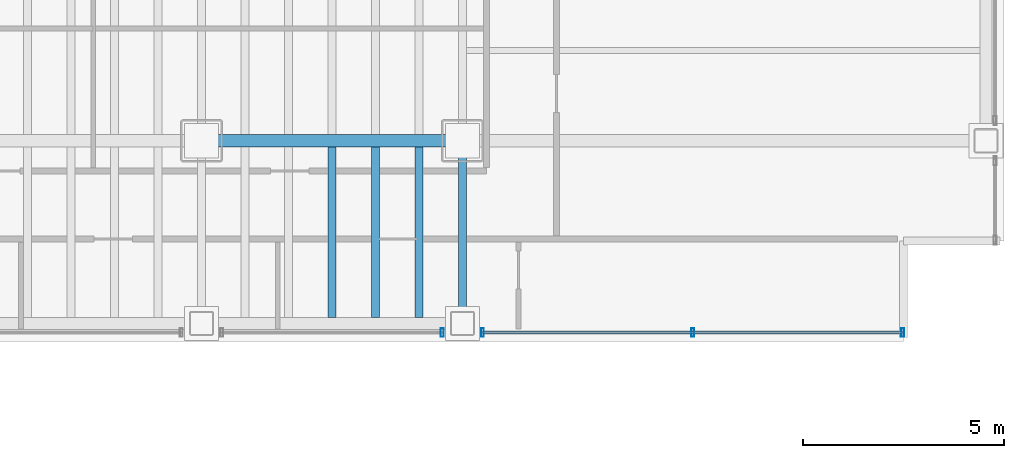
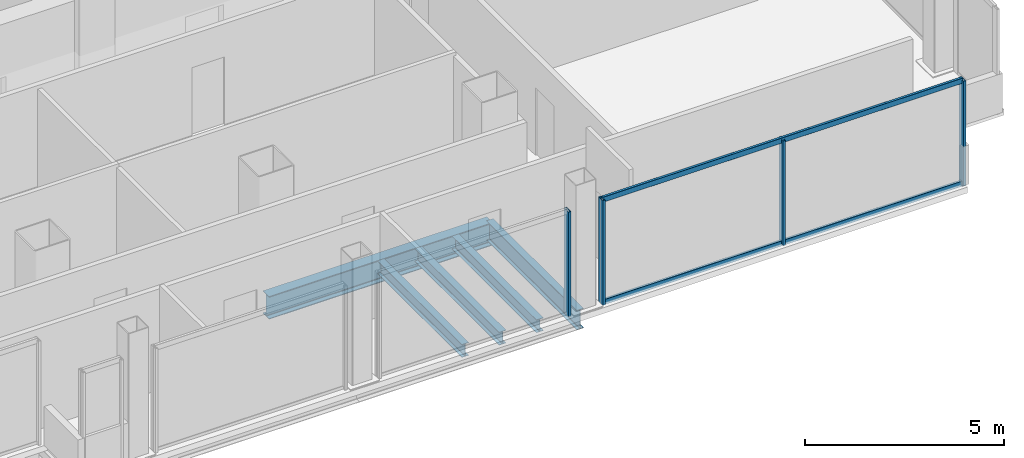
# One storey, part 8 of 20: 6 members, 5 beams, 2 elements without a shape of their own.
"""IFC4 building model written with IfcOpenShell, lengths in metres."""

import ifcopenshell
import ifcopenshell.guid

model = None  # the IFC model being written
_history = None  # IfcOwnerHistory: only IFC2X3 demands one
_inside = {}  # id of a spatial element -> (the spatial element, [elements in it])
_under = {}  # id of a project, library or spatial element -> (it, [spatial elements below it])
_declared = {}  # id of a project -> (the project, [libraries it declares])
_typed = {}  # id of a type object -> (the type object, [elements of that type])
_made_of = {}  # id of a material, layer set ... -> (it, [elements and type objects made of it])


def new_model(schema):
    """Start an empty IFC model of exactly this schema.

    Asked for "IFC4X3", IfcOpenShell would pick the latest addendum, in which some entities
    have other attributes; the version numbers below select the first issue.
    IFC2X3 requires an IfcOwnerHistory on every rooted entity: one is made here for all.
    """
    global model, _history
    if schema == "IFC4X3":
        model = ifcopenshell.file(schema_version=(4, 3, 0, 0))
    else:
        model = ifcopenshell.file(schema=schema)
    _inside.clear()
    _under.clear()
    _declared.clear()
    _typed.clear()
    _made_of.clear()
    _history = None
    if model.schema == "IFC2X3":
        org = make("IfcOrganization", Name="unknown")
        user = make(
            "IfcPersonAndOrganization",
            ThePerson=make("IfcPerson", FamilyName="unknown"),
            TheOrganization=org,
        )
        app = make(
            "IfcApplication",
            ApplicationDeveloper=org,
            Version="unknown",
            ApplicationFullName="unknown",
            ApplicationIdentifier="unknown",
        )
        _history = make(
            "IfcOwnerHistory",
            OwningUser=user,
            OwningApplication=app,
            ChangeAction="ADDED",
            CreationDate=0,
        )
    return model


def make(cls, **values):
    """One entity of the class cls with the attributes given. An attribute that is None is left unset."""
    return model.create_entity(
        cls, **{name: value for name, value in values.items() if value is not None}
    )


def rooted(cls, **values):
    """An entity with a GlobalId (a new one), such as an element, a storey or a relation."""
    return make(cls, GlobalId=ifcopenshell.guid.new(), OwnerHistory=_history, **values)


def si_unit(unit_type, name, prefix=None):
    """IfcSIUnit, for example si_unit("LENGTHUNIT", "METRE", prefix="MILLI")."""
    return make("IfcSIUnit", UnitType=unit_type, Prefix=prefix, Name=name)


def assignment(units):
    """IfcUnitAssignment: the units of a project."""
    return None if units is None else make("IfcUnitAssignment", Units=units)


def point(xyz):
    """IfcCartesianPoint."""
    return None if xyz is None else make("IfcCartesianPoint", Coordinates=xyz)


def direction(xyz):
    """IfcDirection."""
    return None if xyz is None else make("IfcDirection", DirectionRatios=xyz)


def frame(location, z_axis=None, x_axis=None):
    """IfcAxis2Placement3D, a coordinate frame: its origin and axes. An axis left out is left unset."""
    return make(
        "IfcAxis2Placement3D",
        Location=point(location),
        Axis=direction(z_axis),
        RefDirection=direction(x_axis),
    )


def frame_2d(location, x_axis=None):
    """IfcAxis2Placement2D, a coordinate frame in the plane: its origin and x axis."""
    return make(
        "IfcAxis2Placement2D", Location=point(location), RefDirection=direction(x_axis)
    )


def origin():
    """The frame at (0, 0, 0) with its axes left unset."""
    return frame((0.0, 0.0, 0.0))


def origin_2d():
    """The frame at (0, 0) in the plane with its x axis left unset."""
    return frame_2d((0.0, 0.0))


def place(relative_to, where):
    """IfcLocalPlacement: puts the frame where relative to a parent placement (None: the world)."""
    return make(
        "IfcLocalPlacement", PlacementRelTo=relative_to, RelativePlacement=where
    )


def context(
    kind, dimensions, precision=None, world=None, true_north=None, identifier=None
):
    """IfcGeometricRepresentationContext, for example the 3D "Model" context."""
    return make(
        "IfcGeometricRepresentationContext",
        ContextIdentifier=identifier,
        ContextType=kind,
        CoordinateSpaceDimension=dimensions,
        Precision=precision,
        WorldCoordinateSystem=world,
        TrueNorth=true_north,
    )


def subcontext(parent, identifier, kind, view, scale=None):
    """IfcGeometricRepresentationSubContext, for example "Body" below "Model"."""
    return make(
        "IfcGeometricRepresentationSubContext",
        ContextIdentifier=identifier,
        ContextType=kind,
        ParentContext=parent,
        TargetScale=scale,
        TargetView=view,
    )


def project(units=None, contexts=None):
    """IfcProject with its units and contexts."""
    return rooted(
        "IfcProject",
        Name="project",
        RepresentationContexts=contexts,
        UnitsInContext=assignment(units),
    )


def spatial(cls, under=None, at=None, **own):
    """A site, building, storey or space (cls), placed at a placement, below another one or the project."""
    s = rooted(cls, ObjectPlacement=at, **own)
    if under is not None:
        _under.setdefault(under.id(), (under, []))[1].append(s)
    return s


def profile(cls, at=None, kind="AREA", **sizes):
    """A parametric profile (cls). Its sizes go by their IFC names, for example OverallWidth=200.0."""
    return make(cls, ProfileType=kind, Position=at, **sizes)


def hollow_rectangle(**sizes):
    """IfcRectangleHollowProfileDef."""
    return profile("IfcRectangleHollowProfileDef", **sizes)


def i_section(**sizes):
    """IfcIShapeProfileDef."""
    return profile("IfcIShapeProfileDef", **sizes)


def extrude(swept, where, along, depth):
    """IfcExtrudedAreaSolid: the profile swept, set in the frame where, extruded along a direction by depth."""
    return make(
        "IfcExtrudedAreaSolid",
        SweptArea=swept,
        Position=where,
        ExtrudedDirection=direction(along),
        Depth=depth,
    )


def shape(context_of_items, identifier, shape_type, items):
    """IfcShapeRepresentation: the items that make up one representation, for example the "Body"."""
    return make(
        "IfcShapeRepresentation",
        ContextOfItems=context_of_items,
        RepresentationIdentifier=identifier,
        RepresentationType=shape_type,
        Items=items,
    )


def material(Name=None, Category=None):
    """IfcMaterial."""
    return make("IfcMaterial", Name=Name, Category=Category)


def material_profile(
    of_material, cross_section, Name=None, Category=None, Priority=None
):
    """IfcMaterialProfile: a cross section and its material."""
    return make(
        "IfcMaterialProfile",
        Name=Name,
        Material=of_material,
        Profile=cross_section,
        Priority=Priority,
        Category=Category,
    )


def profile_set(profiles, Name=None, composite=None):
    """IfcMaterialProfileSet."""
    return make(
        "IfcMaterialProfileSet",
        Name=Name,
        MaterialProfiles=profiles,
        CompositeProfile=composite,
    )


def made_of(thing, what):
    """Note that an element or type object is made of a material, layer set ...; save() writes the relation."""
    if what is not None:
        _made_of.setdefault(what.id(), (what, []))[1].append(thing)
    return thing


def type_object(cls, material=None, **own):
    """A type object (cls), such as IfcWallType, which elements share."""
    return made_of(rooted(cls, **own), material)


def element(
    cls,
    number,
    at=None,
    inside=None,
    cuts=None,
    type_object=None,
    material=None,
    context=None,
    identifier="Body",
    shape_type=None,
    held_by="IfcProductDefinitionShape",
    body=None,
    shapes=None,
    **own,
):
    """One element of the class cls, such as IfcWall. Its Tag is "e" and its number.

    at: its placement. inside: the storey or other place that contains it. cuts: it is an
    opening in that element (IfcRelVoidsElement). A single representation is given by context,
    identifier, shape_type and body (its items); several are given by shapes. held_by: the class
    of the entity that holds the representations. save() writes the other relations.
    """
    e = rooted(cls, Tag="e%d" % number, ObjectPlacement=at, **own)
    if body is not None:
        shapes = [shape(context, identifier, shape_type, body)]
    if shapes is not None:
        e.Representation = make(held_by, Representations=shapes)
    if inside is not None:
        _inside.setdefault(inside.id(), (inside, []))[1].append(e)
    if cuts is not None:
        rooted(
            "IfcRelVoidsElement", RelatingBuildingElement=cuts, RelatedOpeningElement=e
        )
    if type_object is not None:
        _typed.setdefault(type_object.id(), (type_object, []))[1].append(e)
    return made_of(e, material)


def aggregate(whole, parts):
    """IfcRelAggregates: a whole, such as a stair, and the parts it consists of."""
    return rooted("IfcRelAggregates", RelatingObject=whole, RelatedObjects=parts)


def save(model, path):
    """Write the relations noted so far, then the file.

    IfcRelAggregates (storeys below a building ...), IfcRelContainedInSpatialStructure (elements
    in a storey), IfcRelDefinesByType, IfcRelAssociatesMaterial and IfcRelDeclares: one each for
    every whole, place, type object, material and project.
    """
    for whole, parts in _under.values():
        aggregate(whole, parts)
    for where, things in _inside.values():
        rooted(
            "IfcRelContainedInSpatialStructure",
            RelatedElements=things,
            RelatingStructure=where,
        )
    for kind, things in _typed.values():
        rooted("IfcRelDefinesByType", RelatedObjects=things, RelatingType=kind)
    for what, things in _made_of.values():
        rooted("IfcRelAssociatesMaterial", RelatedObjects=things, RelatingMaterial=what)
    for by, libraries in _declared.values():
        rooted("IfcRelDeclares", RelatingContext=by, RelatedDefinitions=libraries)
    model.write(path)


model = new_model("IFC4")

# Units and contexts
model_context = context("Model", 3, precision=1e-05, world=origin(), true_north=direction((0.0, 1.0)))
body_context = subcontext(model_context, "Body", "Model", "MODEL_VIEW")
ifc_project = project(units=[si_unit("LENGTHUNIT", "METRE"), si_unit("AREAUNIT", "SQUARE_METRE"), si_unit("VOLUMEUNIT", "CUBIC_METRE"), si_unit("PLANEANGLEUNIT", "RADIAN"), si_unit("MASSUNIT", "GRAM", prefix="KILO")], contexts=[model_context])

# Site, building, storey
site_placement = place(None, origin())
site = spatial("IfcSite", under=ifc_project, at=site_placement, CompositionType="ELEMENT")
building_placement = place(site_placement, origin())
building = spatial("IfcBuilding", under=site, at=building_placement, Name="Noeulbin Bourse Tower", CompositionType="ELEMENT")
storey_placement = place(building_placement, frame((0.0, 0.0, 73.300048828125)))
storey = spatial("IfcBuildingStorey", under=building, at=storey_placement, Name="L18", CompositionType="ELEMENT", Elevation=73.300048828125)

# Beams
ifc_material_1 = material(Name="Steel S355", Category="steel")
ifc_material_profile_1 = material_profile(ifc_material_1, i_section(OverallWidth=0.199951171875, OverallDepth=0.60009765625, WebThickness=0.010986328125, FlangeThickness=0.01708984375, FilletRadius=0.02197265625, at=origin_2d()), Name="H-600x200x11x17", Category="LoadBearing")
ifc_profile_set_1 = profile_set([ifc_material_profile_1], Name="Steel S355")
beam_type_1 = type_object("IfcBeamType", Name="BM-GRD-600", PredefinedType="USERDEFINED", material=ifc_profile_set_1)
beam_1_placement = place(storey_placement, frame((44.0, 15.449951171875, -0.47998046875), z_axis=(0.0, 1.0, 0.0), x_axis=(-1.0, 0.0, 0.0)))
element("IfcBeam", 1, at=beam_1_placement, inside=storey, type_object=beam_type_1, Name="Tower Primary Girder NS L18-5.1", ObjectType="GIRDER", PredefinedType="USERDEFINED", context=body_context, shape_type="SweptSolid", body=[
    extrude(i_section(OverallWidth=0.199951171875, OverallDepth=0.60009765625, WebThickness=0.010986328125, FlangeThickness=0.01708984375, FilletRadius=0.02197265625, at=origin_2d()), origin(), (0.0, 0.0, 1.0), 4.550048828125),
])
ifc_material_profile_2 = material_profile(ifc_material_1, i_section(OverallWidth=0.300048828125, OverallDepth=0.699951171875, WebThickness=0.012939453125, FlangeThickness=0.02392578125, FilletRadius=0.02392578125, at=origin_2d()), Name="H-700x300x13x24", Category="LoadBearing")
ifc_profile_set_2 = profile_set([ifc_material_profile_2], Name="Steel S355")
beam_type_2 = type_object("IfcBeamType", Name="BM-GRD-700", PredefinedType="USERDEFINED", material=ifc_profile_set_2)
beam_2_placement = place(storey_placement, frame((37.5, 20.0, -0.530029296875), z_axis=(1.0, 0.0, 0.0), x_axis=(0.0, 1.0, 0.0)))
element("IfcBeam", 2, at=beam_2_placement, inside=storey, type_object=beam_type_2, Name="Tower Primary Girder EW L18-1.5", ObjectType="GIRDER", PredefinedType="USERDEFINED", context=body_context, shape_type="SweptSolid", body=[
    extrude(i_section(OverallWidth=0.300048828125, OverallDepth=0.699951171875, WebThickness=0.012939453125, FlangeThickness=0.02392578125, FilletRadius=0.02392578125, at=origin_2d()), origin(), (0.0, 0.0, 1.0), 6.5),
])
ifc_material_profile_3 = material_profile(ifc_material_1, i_section(OverallWidth=0.199951171875, OverallDepth=0.39990234375, WebThickness=0.008056640625, FlangeThickness=0.012939453125, FilletRadius=0.01611328125, at=origin_2d()), Name="H-400x200x8x13", Category="LoadBearing")
ifc_profile_set_3 = profile_set([ifc_material_profile_3], Name="Steel S355")
beam_type_3 = type_object("IfcBeamType", Name="BM-SEC-400", PredefinedType="BEAM", material=ifc_profile_set_3)
for number, where, z_axis, x_axis, name in (
    (3, (40.75, 15.60009765625, -0.380126953125), (0.0, 1.0, 0.0), (-1.0, 0.0, 0.0), "Tower Composite Joist L18-61"),
    (4, (41.833251953125, 15.60009765625, -0.380126953125), (0.0, 1.0, 0.0), (-1.0, 0.0, 0.0), "Tower Composite Joist L18-64"),
    (5, (42.916748046875, 15.60009765625, -0.380126953125), (0.0, 1.0, 0.0), (-1.0, 0.0, 0.0), "Tower Composite Joist L18-67"),
):
    element("IfcBeam", number, at=place(storey_placement, frame(where, z_axis=z_axis, x_axis=x_axis)), inside=storey, type_object=beam_type_3, Name=name, PredefinedType="BEAM", context=body_context, shape_type="SweptSolid", body=[
        extrude(i_section(OverallWidth=0.199951171875, OverallDepth=0.39990234375, WebThickness=0.008056640625, FlangeThickness=0.012939453125, FilletRadius=0.01611328125, at=origin_2d()), origin(), (0.0, 0.0, 1.0), 4.25),
    ])

# Curtain wall, member
ifc_material_2 = material(Name="Dark Solar-Control Double Glazing", Category="glass")
curtain_wall_type = type_object("IfcCurtainWallType", Name="CW-SYS-2", PredefinedType="NOTDEFINED", material=ifc_material_2)
curtain_wall_1_placement = place(storey_placement, origin())
curtain_wall_1 = element("IfcCurtainWall", 6, at=curtain_wall_1_placement, inside=storey, type_object=curtain_wall_type, Name="Unitised Curtain Wall CW-L18-S3-S3", PredefinedType="NOTDEFINED")
ifc_material_3 = material(Name="Anodised Aluminium 6063-T6", Category="aluminium")
ifc_material_profile_4 = material_profile(ifc_material_3, hollow_rectangle(XDim=0.074951171875, YDim=0.219970703125, WallThickness=0.0048828125, InnerFilletRadius=0.00244140625, OuterFilletRadius=0.0048828125, at=origin_2d()), Name="ALU-MULL-75x220x5", Category="LoadBearing")
ifc_profile_set_4 = profile_set([ifc_material_profile_4], Name="Anodised Aluminium 6063-T6")
member_type_1 = type_object("IfcMemberType", Name="CW-SYS-2-MUL", PredefinedType="MULLION", material=ifc_profile_set_4)
member_1_placement = place(storey_placement, frame((43.5, 15.219970703125, -0.02001953125), z_axis=(0.0, 0.0, 1.0), x_axis=(1.0, 0.0, 0.0)))
member_1 = element("IfcMember", 7, at=member_1_placement, type_object=member_type_1, Name="Curtain Wall Mullion CW-L18-S3-S3-M01", PredefinedType="MULLION", context=body_context, shape_type="SweptSolid", body=[
    extrude(hollow_rectangle(XDim=0.074951171875, YDim=0.219970703125, WallThickness=0.0048828125, InnerFilletRadius=0.00244140625, OuterFilletRadius=0.0048828125, at=origin_2d()), origin(), (0.0, 0.0, 1.0), 3.219970703125),
])
aggregate(curtain_wall_1, [member_1])

# Curtain wall, members
curtain_wall_2_placement = place(storey_placement, origin())
curtain_wall_2 = element("IfcCurtainWall", 8, at=curtain_wall_2_placement, inside=storey, type_object=curtain_wall_type, Name="Unitised Curtain Wall CW-L18-S3-S4", PredefinedType="NOTDEFINED")
member_2_placement = place(storey_placement, frame((44.5, 15.219970703125, -0.02001953125), z_axis=(0.0, 0.0, 1.0), x_axis=(1.0, 0.0, 0.0)))
member_2 = element("IfcMember", 9, at=member_2_placement, type_object=member_type_1, Name="Curtain Wall Mullion CW-L18-S3-S4-M00", PredefinedType="MULLION", context=body_context, shape_type="SweptSolid", body=[
    extrude(hollow_rectangle(XDim=0.074951171875, YDim=0.219970703125, WallThickness=0.0048828125, InnerFilletRadius=0.00244140625, OuterFilletRadius=0.0048828125, at=origin_2d()), origin(), (0.0, 0.0, 1.0), 3.219970703125),
])
member_3_placement = place(storey_placement, frame((49.739990234375, 15.219970703125, -0.02001953125), z_axis=(0.0, 0.0, 1.0), x_axis=(1.0, 0.0, 0.0)))
member_3 = element("IfcMember", 10, at=member_3_placement, type_object=member_type_1, Name="Curtain Wall Mullion CW-L18-S3-S4-M01", PredefinedType="MULLION", context=body_context, shape_type="SweptSolid", body=[
    extrude(hollow_rectangle(XDim=0.074951171875, YDim=0.219970703125, WallThickness=0.0048828125, InnerFilletRadius=0.00244140625, OuterFilletRadius=0.0048828125, at=origin_2d()), origin(), (0.0, 0.0, 1.0), 3.219970703125),
])
member_4_placement = place(storey_placement, frame((54.97998046875, 15.219970703125, -0.02001953125), z_axis=(0.0, 0.0, 1.0), x_axis=(1.0, 0.0, 0.0)))
member_4 = element("IfcMember", 11, at=member_4_placement, type_object=member_type_1, Name="Curtain Wall Mullion CW-L18-S3-S4-M02", PredefinedType="MULLION", context=body_context, shape_type="SweptSolid", body=[
    extrude(hollow_rectangle(XDim=0.074951171875, YDim=0.219970703125, WallThickness=0.0048828125, InnerFilletRadius=0.00244140625, OuterFilletRadius=0.0048828125, at=origin_2d()), origin(), (0.0, 0.0, 1.0), 3.219970703125),
])
ifc_material_profile_5 = material_profile(ifc_material_3, hollow_rectangle(XDim=0.074951171875, YDim=0.159912109375, WallThickness=0.0048828125, InnerFilletRadius=0.00244140625, OuterFilletRadius=0.0048828125, at=origin_2d()), Name="ALU-TRAN-75x160x5", Category="LoadBearing")
ifc_profile_set_5 = profile_set([ifc_material_profile_5], Name="Anodised Aluminium 6063-T6")
member_type_2 = type_object("IfcMemberType", Name="CW-SYS-2-TRN", PredefinedType="USERDEFINED", material=ifc_profile_set_5)
member_5_placement = place(storey_placement, frame((44.510009765625, 15.219970703125, 0.010009765625), z_axis=(1.0, 0.0, 0.0), x_axis=(0.0, 1.0, 0.0)))
member_5 = element("IfcMember", 12, at=member_5_placement, type_object=member_type_2, Name="Curtain Wall Transom CW-L18-S3-S4-T00", ObjectType="TRANSOM", PredefinedType="USERDEFINED", context=body_context, shape_type="SweptSolid", body=[
    extrude(hollow_rectangle(XDim=0.074951171875, YDim=0.159912109375, WallThickness=0.0048828125, InnerFilletRadius=0.00244140625, OuterFilletRadius=0.0048828125, at=origin_2d()), origin(), (0.0, 0.0, 1.0), 10.4599609375),
])
member_6_placement = place(storey_placement, frame((44.510009765625, 15.219970703125, 3.169921875), z_axis=(1.0, 0.0, 0.0), x_axis=(0.0, 1.0, 0.0)))
member_6 = element("IfcMember", 13, at=member_6_placement, type_object=member_type_2, Name="Curtain Wall Transom CW-L18-S3-S4-T01", ObjectType="TRANSOM", PredefinedType="USERDEFINED", context=body_context, shape_type="SweptSolid", body=[
    extrude(hollow_rectangle(XDim=0.074951171875, YDim=0.159912109375, WallThickness=0.0048828125, InnerFilletRadius=0.00244140625, OuterFilletRadius=0.0048828125, at=origin_2d()), origin(), (0.0, 0.0, 1.0), 10.4599609375),
])
aggregate(curtain_wall_2, [member_2, member_3, member_4, member_5, member_6])

save(model, "model.ifc")
